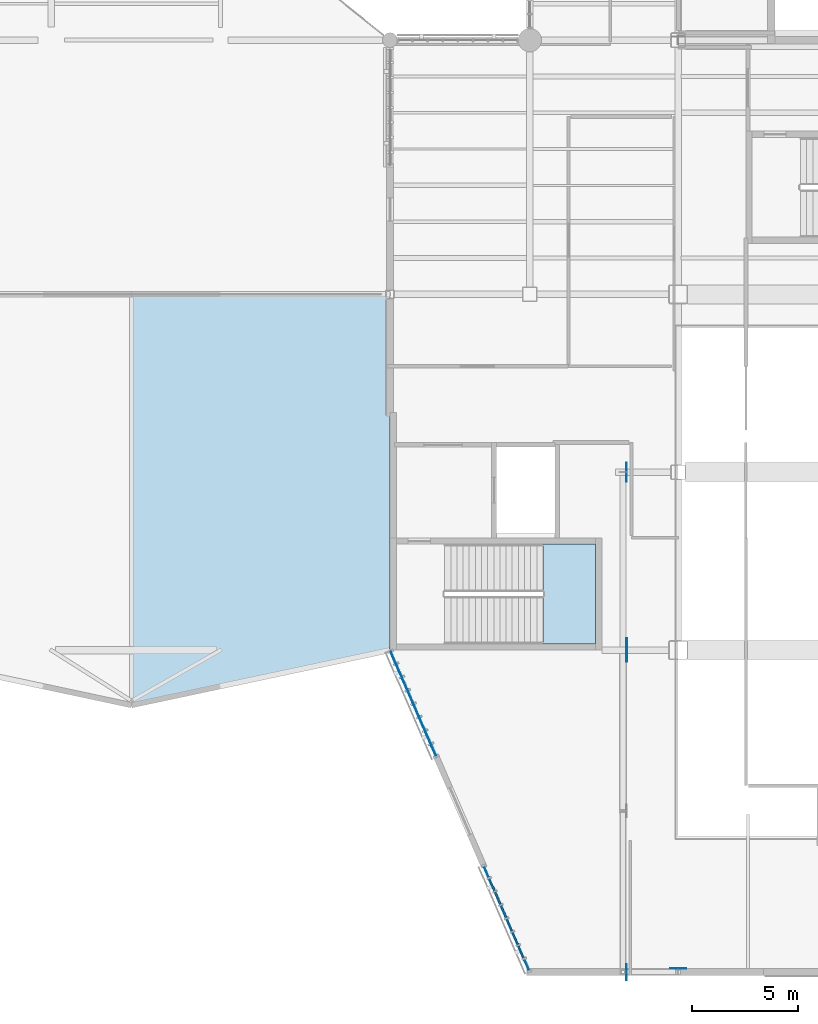
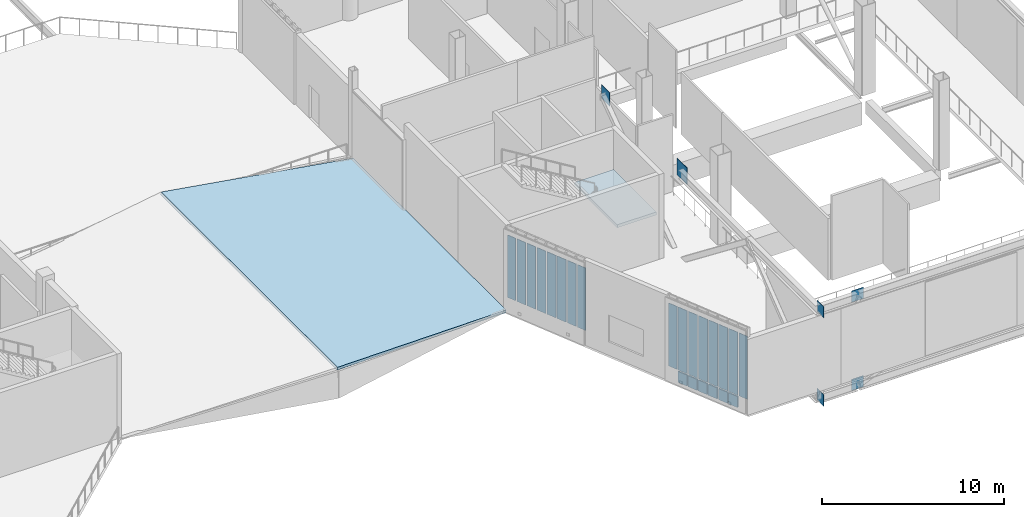
# One storey, part 70 of 135: 28 plates, 2 slabs, 3 elements without a shape of their own.
"""IFC4 building model written with IfcOpenShell, lengths in metres."""

from ifc_helpers import new_model, si_unit, direction, frame, origin, origin_2d, place, context, subcontext, project, spatial, polyline, rectangle, outline, extrude, material, layer, layer_set, type_object, element, aggregate, save


model = new_model("IFC4")

# Units and contexts
model_context = context("Model", 3, precision=1e-05, world=origin(), true_north=direction((0.0, 1.0)))
body_context = subcontext(model_context, "Body", "Model", "MODEL_VIEW")
ifc_project = project(units=[si_unit("LENGTHUNIT", "METRE"), si_unit("AREAUNIT", "SQUARE_METRE"), si_unit("VOLUMEUNIT", "CUBIC_METRE"), si_unit("PLANEANGLEUNIT", "RADIAN"), si_unit("MASSUNIT", "GRAM", prefix="KILO")], contexts=[model_context])

# Site, building, storey
site_placement = place(None, origin())
site = spatial("IfcSite", under=ifc_project, at=site_placement, CompositionType="ELEMENT")
building_placement = place(site_placement, origin())
building = spatial("IfcBuilding", under=site, at=building_placement, Name="Larkvane Passage Sports Hall", CompositionType="ELEMENT")
storey_placement = place(building_placement, frame((0.0, 0.0, 10.800048828125)))
storey = spatial("IfcBuildingStorey", under=building, at=storey_placement, Name="L02", CompositionType="ELEMENT", Elevation=10.800048828125)

# Curtain wall, plates
ifc_material_1 = material(Name="Thermally broken aluminium and low-E glazing", Category="aluminium")
curtain_wall_type_1 = type_object("IfcCurtainWallType", Name="CW-UNIT-VEIL", PredefinedType="USERDEFINED", material=ifc_material_1)
curtain_wall_1_placement = place(storey_placement, origin())
curtain_wall_1 = element("IfcCurtainWall", 1, at=curtain_wall_1_placement, inside=storey, type_object=curtain_wall_type_1, Name="Curtain wall CW5-L02-073", ObjectType="UNITISED CURTAIN WALL", PredefinedType="USERDEFINED")
ifc_material_2 = material(Name="Mineral-wool insulated spandrel cassette")
ifc_layer_1 = layer(ifc_material_2, 0.0849609375)
ifc_layer_set_1 = layer_set([ifc_layer_1], Name="Mineral-wool insulated spandrel cassette")
plate_type_1 = type_object("IfcPlateType", Name="CWP-SPD-85", PredefinedType="CURTAIN_PANEL", material=ifc_layer_set_1)
plate_1_placement = place(storey_placement, frame((124.1875, 8.550048828125, 0.07470703125), z_axis=(0.0, 0.0, 1.0), x_axis=(-0.398282537261, 0.917262787053, 0.0)))
plate_1 = element("IfcPlate", 2, at=plate_1_placement, type_object=plate_type_1, Name="CW-02 panel 2.1", PredefinedType="CURTAIN_PANEL", context=body_context, shape_type="SweptSolid", body=[
    extrude(rectangle(XDim=0.615478515625, YDim=0.0849609375, at=origin_2d()), origin(), (0.0, 0.0, 1.0), 0.737548828125),
])
plate_2_placement = place(storey_placement, frame((123.91259765625, 9.183349609375, 0.07470703125), z_axis=(0.0, 0.0, 1.0), x_axis=(-0.398282537261, 0.917262787053, 0.0)))
plate_2 = element("IfcPlate", 3, at=plate_2_placement, type_object=plate_type_1, Name="CW-02 panel 3.1", PredefinedType="CURTAIN_PANEL", context=body_context, shape_type="SweptSolid", body=[
    extrude(rectangle(XDim=0.615478515625, YDim=0.0849609375, at=origin_2d()), origin(), (0.0, 0.0, 1.0), 0.737548828125),
])
plate_3_placement = place(storey_placement, frame((123.637451171875, 9.816650390625, 0.07470703125), z_axis=(0.0, 0.0, 1.0), x_axis=(-0.398282537261, 0.917262787053, 0.0)))
plate_3 = element("IfcPlate", 4, at=plate_3_placement, type_object=plate_type_1, Name="CW-02 panel 4.1", PredefinedType="CURTAIN_PANEL", context=body_context, shape_type="SweptSolid", body=[
    extrude(rectangle(XDim=0.615478515625, YDim=0.0849609375, at=origin_2d()), origin(), (0.0, 0.0, 1.0), 0.737548828125),
])
plate_4_placement = place(storey_placement, frame((123.362548828125, 10.449951171875, 0.07470703125), z_axis=(0.0, 0.0, 1.0), x_axis=(-0.398282537261, 0.917262787053, 0.0)))
plate_4 = element("IfcPlate", 5, at=plate_4_placement, type_object=plate_type_1, Name="CW-02 panel 5.1", PredefinedType="CURTAIN_PANEL", context=body_context, shape_type="SweptSolid", body=[
    extrude(rectangle(XDim=0.615478515625, YDim=0.0849609375, at=origin_2d()), origin(), (0.0, 0.0, 1.0), 0.737548828125),
])
plate_5_placement = place(storey_placement, frame((123.08740234375, 11.083251953125, 0.07470703125), z_axis=(0.0, 0.0, 1.0), x_axis=(-0.398282537261, 0.917262787053, 0.0)))
plate_5 = element("IfcPlate", 6, at=plate_5_placement, type_object=plate_type_1, Name="CW-02 panel 6.1", PredefinedType="CURTAIN_PANEL", context=body_context, shape_type="SweptSolid", body=[
    extrude(rectangle(XDim=0.615478515625, YDim=0.0849609375, at=origin_2d()), origin(), (0.0, 0.0, 1.0), 0.737548828125),
])
plate_6_placement = place(storey_placement, frame((122.8125, 11.716796875, 0.07470703125), z_axis=(0.0, 0.0, 1.0), x_axis=(-0.398282537261, 0.917262787053, 0.0)))
plate_6 = element("IfcPlate", 7, at=plate_6_placement, type_object=plate_type_1, Name="CW-02 panel 7.1", PredefinedType="CURTAIN_PANEL", context=body_context, shape_type="SweptSolid", body=[
    extrude(rectangle(XDim=0.615478515625, YDim=0.0849609375, at=origin_2d()), origin(), (0.0, 0.0, 1.0), 0.737548828125),
])
ifc_material_3 = material(Name="Laminated acoustic low-E glazing", Category="glass")
ifc_layer_2 = layer(ifc_material_3, 0.031982421875)
ifc_layer_set_2 = layer_set([ifc_layer_2], Name="Laminated acoustic low-E glazing")
plate_type_2 = type_object("IfcPlateType", Name="CWP-VIS-32", PredefinedType="CURTAIN_PANEL", material=ifc_layer_set_2)
plate_7_placement = place(storey_placement, frame((124.455078125, 7.933837890625, 0.887451171875), z_axis=(0.0, 0.0, 1.0), x_axis=(-0.398282537261, 0.917262787053, 0.0)))
plate_7 = element("IfcPlate", 8, at=plate_7_placement, type_object=plate_type_2, Name="CW-02 panel 1.2", PredefinedType="CURTAIN_PANEL", context=body_context, shape_type="SweptSolid", body=[
    extrude(rectangle(XDim=0.577880859375, YDim=0.031982421875, at=origin_2d()), origin(), (0.0, 0.0, 1.0), 4.22509765625),
])
plate_8_placement = place(storey_placement, frame((124.1875, 8.550048828125, 0.887451171875), z_axis=(0.0, 0.0, 1.0), x_axis=(-0.398282537261, 0.917262787053, 0.0)))
plate_8 = element("IfcPlate", 9, at=plate_8_placement, type_object=plate_type_2, Name="CW-02 panel 2.2", PredefinedType="CURTAIN_PANEL", context=body_context, shape_type="SweptSolid", body=[
    extrude(rectangle(XDim=0.615478515625, YDim=0.031982421875, at=origin_2d()), origin(), (0.0, 0.0, 1.0), 4.22509765625),
])
plate_9_placement = place(storey_placement, frame((123.91259765625, 9.183349609375, 0.887451171875), z_axis=(0.0, 0.0, 1.0), x_axis=(-0.398282537261, 0.917262787053, 0.0)))
plate_9 = element("IfcPlate", 10, at=plate_9_placement, type_object=plate_type_2, Name="CW-02 panel 3.2", PredefinedType="CURTAIN_PANEL", context=body_context, shape_type="SweptSolid", body=[
    extrude(rectangle(XDim=0.615478515625, YDim=0.031982421875, at=origin_2d()), origin(), (0.0, 0.0, 1.0), 4.22509765625),
])
plate_10_placement = place(storey_placement, frame((123.637451171875, 9.816650390625, 0.887451171875), z_axis=(0.0, 0.0, 1.0), x_axis=(-0.398282537261, 0.917262787053, 0.0)))
plate_10 = element("IfcPlate", 11, at=plate_10_placement, type_object=plate_type_2, Name="CW-02 panel 4.2", PredefinedType="CURTAIN_PANEL", context=body_context, shape_type="SweptSolid", body=[
    extrude(rectangle(XDim=0.615478515625, YDim=0.031982421875, at=origin_2d()), origin(), (0.0, 0.0, 1.0), 4.22509765625),
])
plate_11_placement = place(storey_placement, frame((123.362548828125, 10.449951171875, 0.887451171875), z_axis=(0.0, 0.0, 1.0), x_axis=(-0.398282537261, 0.917262787053, 0.0)))
plate_11 = element("IfcPlate", 12, at=plate_11_placement, type_object=plate_type_2, Name="CW-02 panel 5.2", PredefinedType="CURTAIN_PANEL", context=body_context, shape_type="SweptSolid", body=[
    extrude(rectangle(XDim=0.615478515625, YDim=0.031982421875, at=origin_2d()), origin(), (0.0, 0.0, 1.0), 4.22509765625),
])
plate_12_placement = place(storey_placement, frame((123.08740234375, 11.083251953125, 0.887451171875), z_axis=(0.0, 0.0, 1.0), x_axis=(-0.398282537261, 0.917262787053, 0.0)))
plate_12 = element("IfcPlate", 13, at=plate_12_placement, type_object=plate_type_2, Name="CW-02 panel 6.2", PredefinedType="CURTAIN_PANEL", context=body_context, shape_type="SweptSolid", body=[
    extrude(rectangle(XDim=0.615478515625, YDim=0.031982421875, at=origin_2d()), origin(), (0.0, 0.0, 1.0), 4.22509765625),
])
plate_13_placement = place(storey_placement, frame((122.8125, 11.716796875, 0.887451171875), z_axis=(0.0, 0.0, 1.0), x_axis=(-0.398282537261, 0.917262787053, 0.0)))
plate_13 = element("IfcPlate", 14, at=plate_13_placement, type_object=plate_type_2, Name="CW-02 panel 7.2", PredefinedType="CURTAIN_PANEL", context=body_context, shape_type="SweptSolid", body=[
    extrude(rectangle(XDim=0.615478515625, YDim=0.031982421875, at=origin_2d()), origin(), (0.0, 0.0, 1.0), 4.22509765625),
])
plate_14_placement = place(storey_placement, frame((122.544921875, 12.332763671875, 0.887451171875), z_axis=(0.0, 0.0, 1.0), x_axis=(-0.398282537261, 0.917262787053, 0.0)))
plate_14 = element("IfcPlate", 15, at=plate_14_placement, type_object=plate_type_2, Name="CW-02 panel 8.2", PredefinedType="CURTAIN_PANEL", context=body_context, shape_type="SweptSolid", body=[
    extrude(rectangle(XDim=0.577880859375, YDim=0.031982421875, at=origin_2d()), origin(), (0.0, 0.0, 1.0), 4.22509765625),
])
aggregate(curtain_wall_1, [plate_7, plate_1, plate_8, plate_2, plate_9, plate_3, plate_10, plate_4, plate_11, plate_5, plate_12, plate_6, plate_13, plate_14])

curtain_wall_type_2 = type_object("IfcCurtainWallType", Name="CW-STICK-FOYER", PredefinedType="USERDEFINED", material=ifc_material_1)
curtain_wall_2_placement = place(storey_placement, origin())
curtain_wall_2 = element("IfcCurtainWall", 16, at=curtain_wall_2_placement, inside=storey, type_object=curtain_wall_type_2, Name="Curtain wall CW5-L02-074", ObjectType="STICK CURTAIN WALL", PredefinedType="USERDEFINED")
ifc_material_4 = material(Name="High-impact court low-E glazing", Category="glass")
ifc_layer_3 = layer(ifc_material_4, 0.035888671875)
ifc_layer_set_3 = layer_set([ifc_layer_3], Name="High-impact court low-E glazing")
plate_type_3 = type_object("IfcPlateType", Name="CWP-VIS-36", PredefinedType="CURTAIN_PANEL", material=ifc_layer_set_3)
plate_15_placement = place(storey_placement, frame((120.0537109375, 18.070068359375, 0.89501953125), z_axis=(0.0, 0.0, 1.0), x_axis=(-0.398288959012, 0.917259998653, 0.0)))
plate_15 = element("IfcPlate", 17, at=plate_15_placement, type_object=plate_type_3, Name="CW-03 panel 1.2", PredefinedType="CURTAIN_PANEL", context=body_context, shape_type="SweptSolid", body=[
    extrude(rectangle(XDim=0.55419921875, YDim=0.035888671875, at=origin_2d()), origin(), (0.0, 0.0, 1.0), 4.18994140625),
])
plate_16_placement = place(storey_placement, frame((119.788330078125, 18.681396484375, 0.89501953125), z_axis=(0.0, 0.0, 1.0), x_axis=(-0.398288959012, 0.917259998653, 0.0)))
plate_16 = element("IfcPlate", 18, at=plate_16_placement, type_object=plate_type_3, Name="CW-03 panel 2.2", PredefinedType="CURTAIN_PANEL", context=body_context, shape_type="SweptSolid", body=[
    extrude(rectangle(XDim=0.59912109375, YDim=0.035888671875, at=origin_2d()), origin(), (0.0, 0.0, 1.0), 4.18994140625),
])
plate_17_placement = place(storey_placement, frame((119.513916015625, 19.3134765625, 0.89501953125), z_axis=(0.0, 0.0, 1.0), x_axis=(-0.398288959012, 0.917259998653, 0.0)))
plate_17 = element("IfcPlate", 19, at=plate_17_placement, type_object=plate_type_3, Name="CW-03 panel 3.2", PredefinedType="CURTAIN_PANEL", context=body_context, shape_type="SweptSolid", body=[
    extrude(rectangle(XDim=0.59912109375, YDim=0.035888671875, at=origin_2d()), origin(), (0.0, 0.0, 1.0), 4.18994140625),
])
plate_18_placement = place(storey_placement, frame((119.239501953125, 19.945556640625, 0.89501953125), z_axis=(0.0, 0.0, 1.0), x_axis=(-0.398288959012, 0.917259998653, 0.0)))
plate_18 = element("IfcPlate", 20, at=plate_18_placement, type_object=plate_type_3, Name="CW-03 panel 4.2", PredefinedType="CURTAIN_PANEL", context=body_context, shape_type="SweptSolid", body=[
    extrude(rectangle(XDim=0.59912109375, YDim=0.035888671875, at=origin_2d()), origin(), (0.0, 0.0, 1.0), 4.18994140625),
])
plate_19_placement = place(storey_placement, frame((118.96484375, 20.57763671875, 0.89501953125), z_axis=(0.0, 0.0, 1.0), x_axis=(-0.398288959012, 0.917259998653, 0.0)))
plate_19 = element("IfcPlate", 21, at=plate_19_placement, type_object=plate_type_3, Name="CW-03 panel 5.2", PredefinedType="CURTAIN_PANEL", context=body_context, shape_type="SweptSolid", body=[
    extrude(rectangle(XDim=0.59912109375, YDim=0.035888671875, at=origin_2d()), origin(), (0.0, 0.0, 1.0), 4.18994140625),
])
plate_20_placement = place(storey_placement, frame((118.6904296875, 21.209716796875, 0.89501953125), z_axis=(0.0, 0.0, 1.0), x_axis=(-0.398288959012, 0.917259998653, 0.0)))
plate_20 = element("IfcPlate", 22, at=plate_20_placement, type_object=plate_type_3, Name="CW-03 panel 6.2", PredefinedType="CURTAIN_PANEL", context=body_context, shape_type="SweptSolid", body=[
    extrude(rectangle(XDim=0.59912109375, YDim=0.035888671875, at=origin_2d()), origin(), (0.0, 0.0, 1.0), 4.18994140625),
])
plate_21_placement = place(storey_placement, frame((118.416015625, 21.841796875, 0.89501953125), z_axis=(0.0, 0.0, 1.0), x_axis=(-0.398288959012, 0.917259998653, 0.0)))
plate_21 = element("IfcPlate", 23, at=plate_21_placement, type_object=plate_type_3, Name="CW-03 panel 7.2", PredefinedType="CURTAIN_PANEL", context=body_context, shape_type="SweptSolid", body=[
    extrude(rectangle(XDim=0.59912109375, YDim=0.035888671875, at=origin_2d()), origin(), (0.0, 0.0, 1.0), 4.18994140625),
])
plate_22_placement = place(storey_placement, frame((118.150390625, 22.453369140625, 0.89501953125), z_axis=(0.0, 0.0, 1.0), x_axis=(-0.398288959012, 0.917259998653, 0.0)))
plate_22 = element("IfcPlate", 24, at=plate_22_placement, type_object=plate_type_3, Name="CW-03 panel 8.2", PredefinedType="CURTAIN_PANEL", context=body_context, shape_type="SweptSolid", body=[
    extrude(rectangle(XDim=0.55419921875, YDim=0.035888671875, at=origin_2d()), origin(), (0.0, 0.0, 1.0), 4.18994140625),
])
aggregate(curtain_wall_2, [plate_15, plate_16, plate_17, plate_18, plate_19, plate_20, plate_21, plate_22])

# Plates
ifc_material_5 = material(Name="Steel S460N", Category="steel")
ifc_layer_4 = layer(ifc_material_5, 0.02392578125)
ifc_layer_set_4 = layer_set([ifc_layer_4], Name="Steel S460N")
plate_type_4 = type_object("IfcPlateType", Name="PLT-GUS-24", PredefinedType="USERDEFINED", material=ifc_layer_set_4)
for number, where, z_axis, x_axis, name in (
    (25, (131.60009765625, 7.761962890625, -0.9189453125), (0.0, 0.0, 1.0), (1.0, 0.0, 0.0), "Truss node gusset plate ND-1B (CT-E2A-1)"),
    (26, (131.60009765625, 7.761962890625, 5.010986328125), (0.0, 0.0, 1.0), (1.0, 0.0, 0.0), "Truss node gusset plate ND-1T (CT-E2A-1)"),
    (27, (129.162109375, 7.60009765625, -0.9189453125), (0.0, 0.0, 1.0), (0.0, 1.0, 0.0), "Truss node gusset plate ND-1B (CT-S2A-1)"),
    (28, (129.162109375, 7.60009765625, 5.010986328125), (0.0, 0.0, 1.0), (0.0, 1.0, 0.0), "Truss node gusset plate ND-1T (CT-S2A-1)"),
):
    element("IfcPlate", number, at=place(storey_placement, frame(where, z_axis=z_axis, x_axis=x_axis)), inside=storey, type_object=plate_type_4, Name=name, ObjectType="GUSSET PLATE", PredefinedType="USERDEFINED", context=body_context, shape_type="SweptSolid", body=[
        extrude(rectangle(XDim=0.75, YDim=0.02392578125, at=origin_2d()), origin(), (0.0, 0.0, 1.0), 0.75),
    ])
ifc_layer_5 = layer(ifc_material_5, 0.031982421875)
ifc_layer_set_5 = layer_set([ifc_layer_5], Name="Steel S460N")
plate_type_5 = type_object("IfcPlateType", Name="PLT-GUS-32", PredefinedType="USERDEFINED", material=ifc_layer_set_5)
plate_23_placement = place(storey_placement, frame((129.166015625, 31.199951171875, 4.93603515625), z_axis=(0.0, 0.0, 1.0), x_axis=(0.0, 1.0, 0.0)))
element("IfcPlate", 29, at=plate_23_placement, inside=storey, type_object=plate_type_5, Name="Truss node gusset plate ND-4T (CT-S2A-1)", ObjectType="GUSSET PLATE", PredefinedType="USERDEFINED", context=body_context, shape_type="SweptSolid", body=[
    extrude(rectangle(XDim=0.89990234375, YDim=0.031982421875, at=origin_2d()), origin(), (0.0, 0.0, 1.0), 0.89990234375),
])
ifc_layer_6 = layer(ifc_material_5, 0.0400390625)
ifc_layer_set_6 = layer_set([ifc_layer_6], Name="Steel S460N")
plate_type_6 = type_object("IfcPlateType", Name="PLT-GUS-40", PredefinedType="USERDEFINED", material=ifc_layer_set_6)
plate_24_placement = place(storey_placement, frame((129.169921875, 22.800048828125, 4.8359375), z_axis=(0.0, 0.0, 1.0), x_axis=(0.0, 1.0, 0.0)))
element("IfcPlate", 30, at=plate_24_placement, inside=storey, type_object=plate_type_6, Name="Truss node gusset plate ND-3T (CT-S2A-1)", ObjectType="GUSSET PLATE", PredefinedType="USERDEFINED", context=body_context, shape_type="SweptSolid", body=[
    extrude(rectangle(XDim=1.10009765625, YDim=0.0400390625, at=origin_2d()), origin(), (0.0, 0.0, 1.0), 1.10009765625),
])

# Slab
ifc_material_6 = material(Name="Precast concrete C45/55", Category="concrete")
ifc_layer_7 = layer(ifc_material_6, 0.179931640625)
ifc_layer_set_7 = layer_set([ifc_layer_7], Name="Precast concrete C45/55")
slab_type_1 = type_object("IfcSlabType", Name="SLB-FRP-180", PredefinedType="ROOF", material=ifc_layer_set_7)
slab_1_placement = place(storey_placement, frame((105.800048828125, 20.199951171875, 2.0), z_axis=(0.161775657597, 0.0, 0.98682756174), x_axis=(0.965700773023, 0.205813636563, -0.158312235749)))
element("IfcSlab", 31, at=slab_1_placement, inside=storey, type_object=slab_type_1, Name="Entrance foyer pavilion east canopy fold", PredefinedType="ROOF", context=body_context, shape_type="SweptSolid", body=[
    extrude(outline(polyline([(0.0, 0.0), (12.633262303070056, 0.0), (16.090941446823614, 16.440380031077016), (3.9928146978054873, 18.984812730290393), (0.0, 0.0)])), origin(), (0.0, 0.0, -1.0), 0.179931640625),
])

# Stair, slab
ifc_material_7 = material(Name="Concrete C40/50", Category="concrete")
stair_type = type_object("IfcStairType", Name="STR-CORE-2250", PredefinedType="HALF_TURN_STAIR", material=ifc_material_7)
stair_placement = place(storey_placement, origin())
stair = element("IfcStair", 32, at=stair_placement, inside=storey, type_object=stair_type, Name="L02 Protected exit stair ST-05", PredefinedType="HALF_TURN_STAIR")
ifc_layer_8 = layer(ifc_material_7, 0.199951171875)
ifc_layer_set_8 = layer_set([ifc_layer_8], Name="Concrete C40/50")
slab_type_2 = type_object("IfcSlabType", Name="SLB-LAND-200", PredefinedType="LANDING", material=ifc_layer_set_8)
slab_2_placement = place(storey_placement, frame((0.0, 0.0, 2.800048828125)))
slab_2 = element("IfcSlab", 33, at=slab_2_placement, type_object=slab_type_2, Name="ST-05 landing 1", PredefinedType="LANDING", context=body_context, shape_type="SweptSolid", body=[
    extrude(outline(polyline([(125.219970703125, 23.10009765625), (127.699951171875, 23.10009765625), (127.699951171875, 27.800048828125), (125.219970703125, 27.800048828125), (125.219970703125, 23.10009765625)])), origin(), (0.0, 0.0, 1.0), 0.199951171875),
])
aggregate(stair, [slab_2])

save(model, "model.ifc")
